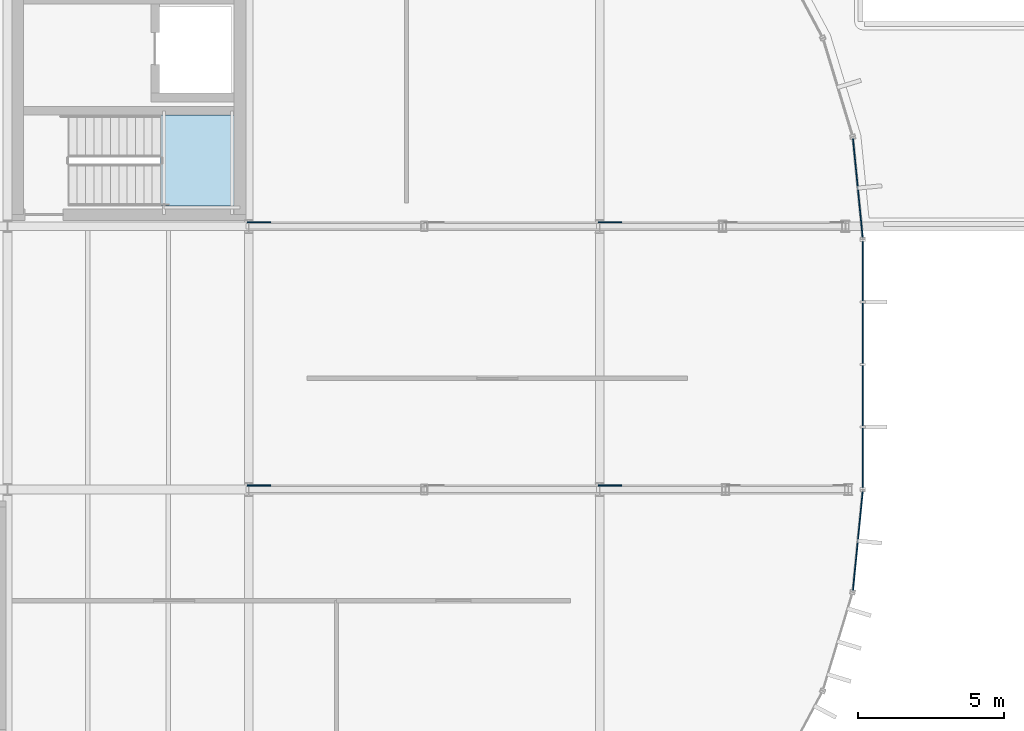
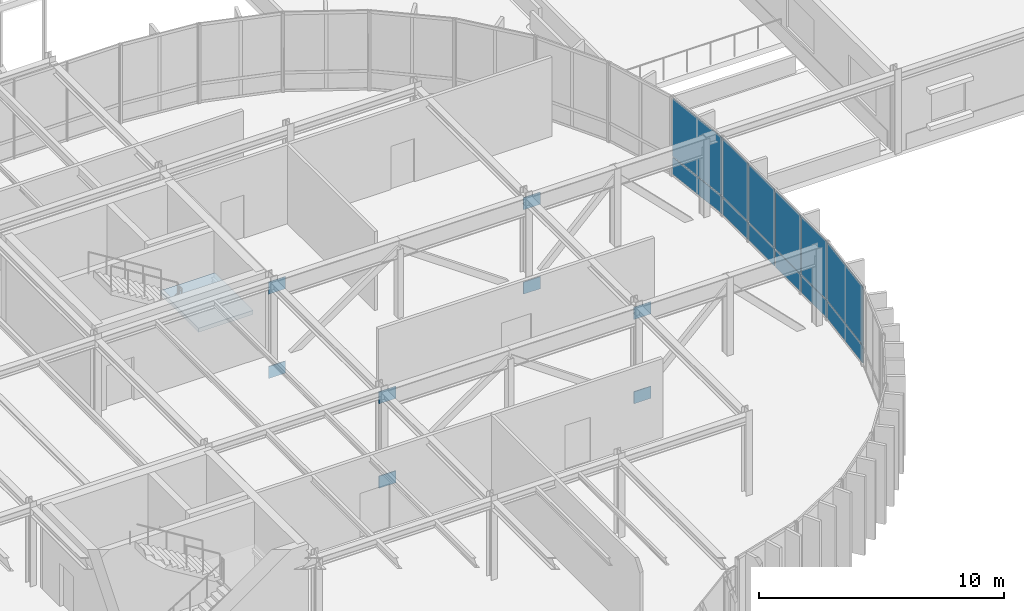
# One storey, part 44 of 69: 20 plates, 1 slab, 4 elements without a shape of their own.
"""IFC4 building model written with IfcOpenShell, lengths in metres."""

from ifc_helpers import new_model, si_unit, direction, frame, origin, origin_2d, place, context, subcontext, project, spatial, polyline, rectangle, outline, extrude, material, layer, layer_set, type_object, element, aggregate, save


model = new_model("IFC4")

# Units and contexts
model_context = context("Model", 3, precision=1e-05, world=origin(), true_north=direction((0.0, 1.0)))
body_context = subcontext(model_context, "Body", "Model", "MODEL_VIEW")
ifc_project = project(units=[si_unit("LENGTHUNIT", "METRE"), si_unit("AREAUNIT", "SQUARE_METRE"), si_unit("VOLUMEUNIT", "CUBIC_METRE"), si_unit("PLANEANGLEUNIT", "RADIAN"), si_unit("MASSUNIT", "GRAM", prefix="KILO")], contexts=[model_context])

# Site, building, storey
site_placement = place(None, origin())
site = spatial("IfcSite", under=ifc_project, at=site_placement, CompositionType="ELEMENT")
building_placement = place(site_placement, origin())
building = spatial("IfcBuilding", under=site, at=building_placement, Name="Montealbar Specialist Clinic", CompositionType="ELEMENT")
storey_placement = place(building_placement, frame((0.0, 0.0, 9.60009765625)))
storey = spatial("IfcBuildingStorey", under=building, at=storey_placement, Name="L02", CompositionType="ELEMENT", Elevation=9.60009765625)

# Curtain wall, plates
ifc_material_1 = material(Name="Low-E double glazing", Category="glass")
ifc_layer_1 = layer(ifc_material_1, 0.199951171875, Name="Low-E double glazing", Category="glass")
ifc_layer_set_1 = layer_set([ifc_layer_1], Name="Low-E double glazing")
curtain_wall_type_1 = type_object("IfcCurtainWallType", Name="CW-TYPE-12", PredefinedType="NOTDEFINED", material=ifc_layer_set_1)
curtain_wall_1_placement = place(storey_placement, origin())
curtain_wall_1 = element("IfcCurtainWall", 1, at=curtain_wall_1_placement, inside=storey, type_object=curtain_wall_type_1, Name="Unitised Curtain Wall CW-L02-1197-301-1200-266-96", PredefinedType="NOTDEFINED")
ifc_layer_2 = layer(ifc_material_1, 0.0380859375, Name="Low-E double glazing", Category="glass")
ifc_layer_set_2 = layer_set([ifc_layer_2], Name="Low-E double glazing")
plate_type_1 = type_object("IfcPlateType", Name="CW-PNL-IGU38", PredefinedType="CURTAIN_PANEL", material=ifc_layer_set_2)
plate_1_placement = place(storey_placement, frame((119.826904296875, 28.305908203125, 0.06982421875), z_axis=(0.0, 0.0, 1.0), x_axis=(0.098044697094, -0.995182012183, 0.0)))
plate_1 = element("IfcPlate", 2, at=plate_1_placement, type_object=plate_type_1, Name="Glazed Curtain Panel CW-L02-1197-301-1200-266-96-1-1", PredefinedType="CURTAIN_PANEL", context=body_context, shape_type="SweptSolid", body=[
    extrude(rectangle(XDim=3.445068359375, YDim=0.0380859375, at=origin_2d()), origin(), (0.0, 0.0, 1.0), 0.85009765625),
])
plate_2_placement = place(storey_placement, frame((119.826904296875, 28.305908203125, 0.97998046875), z_axis=(0.0, 0.0, 1.0), x_axis=(0.098044697094, -0.995182012183, 0.0)))
plate_2 = element("IfcPlate", 3, at=plate_2_placement, type_object=plate_type_1, Name="Glazed Curtain Panel CW-L02-1197-301-1200-266-96-1-2", PredefinedType="CURTAIN_PANEL", context=body_context, shape_type="SweptSolid", body=[
    extrude(rectangle(XDim=3.445068359375, YDim=0.0380859375, at=origin_2d()), origin(), (0.0, 0.0, 1.0), 2.8798828125),
])
aggregate(curtain_wall_1, [plate_1, plate_2])

ifc_layer_3 = layer(ifc_material_1, 0.199951171875, Name="Low-E double glazing", Category="glass")
ifc_layer_set_3 = layer_set([ifc_layer_3], Name="Low-E double glazing")
curtain_wall_type_2 = type_object("IfcCurtainWallType", Name="CW-TYPE-14", PredefinedType="NOTDEFINED", material=ifc_layer_set_3)
curtain_wall_2_placement = place(storey_placement, origin())
curtain_wall_2 = element("IfcCurtainWall", 4, at=curtain_wall_2_placement, inside=storey, type_object=curtain_wall_type_2, Name="Unitised Curtain Wall CW-L02-1200-266-1200-180-96", PredefinedType="NOTDEFINED")
plate_3_placement = place(storey_placement, frame((120.0, 25.48095703125, 0.06982421875), z_axis=(0.0, 0.0, 1.0), x_axis=(0.0, -1.0, 0.0)))
plate_3 = element("IfcPlate", 5, at=plate_3_placement, type_object=plate_type_1, Name="Glazed Curtain Panel CW-L02-1200-266-1200-180-96-1-1", PredefinedType="CURTAIN_PANEL", context=body_context, shape_type="SweptSolid", body=[
    extrude(rectangle(XDim=2.053955078125, YDim=0.0380859375, at=origin_2d()), origin(), (0.0, 0.0, 1.0), 0.85009765625),
])
plate_4_placement = place(storey_placement, frame((120.0, 25.48095703125, 0.97998046875), z_axis=(0.0, 0.0, 1.0), x_axis=(0.0, -1.0, 0.0)))
plate_4 = element("IfcPlate", 6, at=plate_4_placement, type_object=plate_type_1, Name="Glazed Curtain Panel CW-L02-1200-266-1200-180-96-1-2", PredefinedType="CURTAIN_PANEL", context=body_context, shape_type="SweptSolid", body=[
    extrude(rectangle(XDim=2.053955078125, YDim=0.0380859375, at=origin_2d()), origin(), (0.0, 0.0, 1.0), 2.8798828125),
])
plate_5_placement = place(storey_placement, frame((120.0, 23.343994140625, 0.06982421875), z_axis=(0.0, 0.0, 1.0), x_axis=(0.0, -1.0, 0.0)))
plate_5 = element("IfcPlate", 7, at=plate_5_placement, type_object=plate_type_1, Name="Glazed Curtain Panel CW-L02-1200-266-1200-180-96-2-1", PredefinedType="CURTAIN_PANEL", context=body_context, shape_type="SweptSolid", body=[
    extrude(rectangle(XDim=2.053955078125, YDim=0.0380859375, at=origin_2d()), origin(), (0.0, 0.0, 1.0), 0.85009765625),
])
plate_6_placement = place(storey_placement, frame((120.0, 23.343994140625, 0.97998046875), z_axis=(0.0, 0.0, 1.0), x_axis=(0.0, -1.0, 0.0)))
plate_6 = element("IfcPlate", 8, at=plate_6_placement, type_object=plate_type_1, Name="Glazed Curtain Panel CW-L02-1200-266-1200-180-96-2-2", PredefinedType="CURTAIN_PANEL", context=body_context, shape_type="SweptSolid", body=[
    extrude(rectangle(XDim=2.053955078125, YDim=0.0380859375, at=origin_2d()), origin(), (0.0, 0.0, 1.0), 2.8798828125),
])
plate_7_placement = place(storey_placement, frame((120.0, 21.2060546875, 0.06982421875), z_axis=(0.0, 0.0, 1.0), x_axis=(0.0, -1.0, 0.0)))
plate_7 = element("IfcPlate", 9, at=plate_7_placement, type_object=plate_type_1, Name="Glazed Curtain Panel CW-L02-1200-266-1200-180-96-3-1", PredefinedType="CURTAIN_PANEL", context=body_context, shape_type="SweptSolid", body=[
    extrude(rectangle(XDim=2.053955078125, YDim=0.0380859375, at=origin_2d()), origin(), (0.0, 0.0, 1.0), 0.85009765625),
])
plate_8_placement = place(storey_placement, frame((120.0, 21.2060546875, 0.97998046875), z_axis=(0.0, 0.0, 1.0), x_axis=(0.0, -1.0, 0.0)))
plate_8 = element("IfcPlate", 10, at=plate_8_placement, type_object=plate_type_1, Name="Glazed Curtain Panel CW-L02-1200-266-1200-180-96-3-2", PredefinedType="CURTAIN_PANEL", context=body_context, shape_type="SweptSolid", body=[
    extrude(rectangle(XDim=2.053955078125, YDim=0.0380859375, at=origin_2d()), origin(), (0.0, 0.0, 1.0), 2.8798828125),
])
plate_9_placement = place(storey_placement, frame((120.0, 19.069091796875, 0.06982421875), z_axis=(0.0, 0.0, 1.0), x_axis=(0.0, -1.0, 0.0)))
plate_9 = element("IfcPlate", 11, at=plate_9_placement, type_object=plate_type_1, Name="Glazed Curtain Panel CW-L02-1200-266-1200-180-96-4-1", PredefinedType="CURTAIN_PANEL", context=body_context, shape_type="SweptSolid", body=[
    extrude(rectangle(XDim=2.053955078125, YDim=0.0380859375, at=origin_2d()), origin(), (0.0, 0.0, 1.0), 0.85009765625),
])
plate_10_placement = place(storey_placement, frame((120.0, 19.069091796875, 0.97998046875), z_axis=(0.0, 0.0, 1.0), x_axis=(0.0, -1.0, 0.0)))
plate_10 = element("IfcPlate", 12, at=plate_10_placement, type_object=plate_type_1, Name="Glazed Curtain Panel CW-L02-1200-266-1200-180-96-4-2", PredefinedType="CURTAIN_PANEL", context=body_context, shape_type="SweptSolid", body=[
    extrude(rectangle(XDim=2.053955078125, YDim=0.0380859375, at=origin_2d()), origin(), (0.0, 0.0, 1.0), 2.8798828125),
])
aggregate(curtain_wall_2, [plate_3, plate_4, plate_5, plate_6, plate_7, plate_8, plate_9, plate_10])

curtain_wall_3_placement = place(storey_placement, origin())
curtain_wall_3 = element("IfcCurtainWall", 13, at=curtain_wall_3_placement, inside=storey, type_object=curtain_wall_type_1, Name="Unitised Curtain Wall CW-L02-1200-180-1197-145-96", PredefinedType="NOTDEFINED")
plate_11_placement = place(storey_placement, frame((119.826904296875, 16.243896484375, 0.06982421875), z_axis=(0.0, 0.0, 1.0), x_axis=(-0.098044697094, -0.995182012183, 0.0)))
plate_11 = element("IfcPlate", 14, at=plate_11_placement, type_object=plate_type_1, Name="Glazed Curtain Panel CW-L02-1200-180-1197-145-96-1-1", PredefinedType="CURTAIN_PANEL", context=body_context, shape_type="SweptSolid", body=[
    extrude(rectangle(XDim=3.445068359375, YDim=0.0380859375, at=origin_2d()), origin(), (0.0, 0.0, 1.0), 0.85009765625),
])
plate_12_placement = place(storey_placement, frame((119.826904296875, 16.243896484375, 0.97998046875), z_axis=(0.0, 0.0, 1.0), x_axis=(-0.098044697094, -0.995182012183, 0.0)))
plate_12 = element("IfcPlate", 15, at=plate_12_placement, type_object=plate_type_1, Name="Glazed Curtain Panel CW-L02-1200-180-1197-145-96-1-2", PredefinedType="CURTAIN_PANEL", context=body_context, shape_type="SweptSolid", body=[
    extrude(rectangle(XDim=3.445068359375, YDim=0.0380859375, at=origin_2d()), origin(), (0.0, 0.0, 1.0), 2.8798828125),
])
aggregate(curtain_wall_3, [plate_11, plate_12])

# Plates
ifc_material_2 = material(Name="Steel S355", Category="steel")
ifc_layer_4 = layer(ifc_material_2, 0.034912109375, Name="Steel S355", Category="steel")
ifc_layer_set_4 = layer_set([ifc_layer_4], Name="Steel S355")
plate_type_2 = type_object("IfcPlateType", Name="PL-GUSSET-35", PredefinedType="SHEET", material=ifc_layer_set_4)
for number, where, z_axis, x_axis, name in (
    (16, (99.35009765625, 18.136962890625, -1.090087890625), (0.0, 0.0, 1.0), (1.0, 0.0, 0.0), "Truss node gusset plate GN-TT-E1-0B"),
    (17, (99.35009765625, 18.136962890625, 3.10986328125), (0.0, 0.0, 1.0), (1.0, 0.0, 0.0), "Truss node gusset plate GN-TT-E1-0T"),
    (18, (111.35009765625, 18.136962890625, -1.090087890625), (0.0, 0.0, 1.0), (1.0, 0.0, 0.0), "Truss node gusset plate GN-TT-E1-2B"),
    (19, (111.35009765625, 18.136962890625, 3.10986328125), (0.0, 0.0, 1.0), (1.0, 0.0, 0.0), "Truss node gusset plate GN-TT-E1-2T"),
    (20, (99.35009765625, 27.136962890625, -1.090087890625), (0.0, 0.0, 1.0), (1.0, 0.0, 0.0), "Truss node gusset plate GN-TT-E2-0B"),
    (21, (99.35009765625, 27.136962890625, 3.10986328125), (0.0, 0.0, 1.0), (1.0, 0.0, 0.0), "Truss node gusset plate GN-TT-E2-0T"),
    (22, (111.35009765625, 27.136962890625, -1.090087890625), (0.0, 0.0, 1.0), (1.0, 0.0, 0.0), "Truss node gusset plate GN-TT-E2-2B"),
    (23, (111.35009765625, 27.136962890625, 3.10986328125), (0.0, 0.0, 1.0), (1.0, 0.0, 0.0), "Truss node gusset plate GN-TT-E2-2T"),
):
    element("IfcPlate", number, at=place(storey_placement, frame(where, z_axis=z_axis, x_axis=x_axis)), inside=storey, type_object=plate_type_2, Name=name, PredefinedType="SHEET", context=body_context, shape_type="SweptSolid", body=[
        extrude(rectangle(XDim=0.800048828125, YDim=0.034912109375, at=origin_2d()), origin(), (0.0, 0.0, 1.0), 0.60009765625),
    ])

# Stair, slab
ifc_material_3 = material(Name="Concrete C35/45", Category="concrete")
stair_type = type_object("IfcStairType", Name="STAIR-HT-08", PredefinedType="HALF_TURN_STAIR", material=ifc_material_3)
stair_placement = place(storey_placement, origin())
stair = element("IfcStair", 24, at=stair_placement, inside=storey, type_object=stair_type, Name="L02 Protected Exit Stair Core C5", PredefinedType="HALF_TURN_STAIR")
ifc_layer_5 = layer(ifc_material_3, 0.199951171875, Name="Concrete C35/45", Category="concrete")
ifc_layer_set_5 = layer_set([ifc_layer_5], Name="Concrete C35/45")
slab_type = type_object("IfcSlabType", Name="SL-STAIR-LAND-200", PredefinedType="LANDING", material=ifc_layer_set_5)
slab_placement = place(storey_placement, frame((0.0, 0.0, 1.89990234375)))
slab = element("IfcSlab", 25, at=slab_placement, type_object=slab_type, Name="ST-05 landing 1", PredefinedType="LANDING", context=body_context, shape_type="SweptSolid", body=[
    extrude(outline(polyline([(95.985107421875, 27.699951171875), (98.550048828125, 27.699951171875), (98.550048828125, 30.800048828125), (95.985107421875, 30.800048828125), (95.985107421875, 27.699951171875)])), origin(), (0.0, 0.0, 1.0), 0.199951171875),
])
aggregate(stair, [slab])

save(model, "model.ifc")
